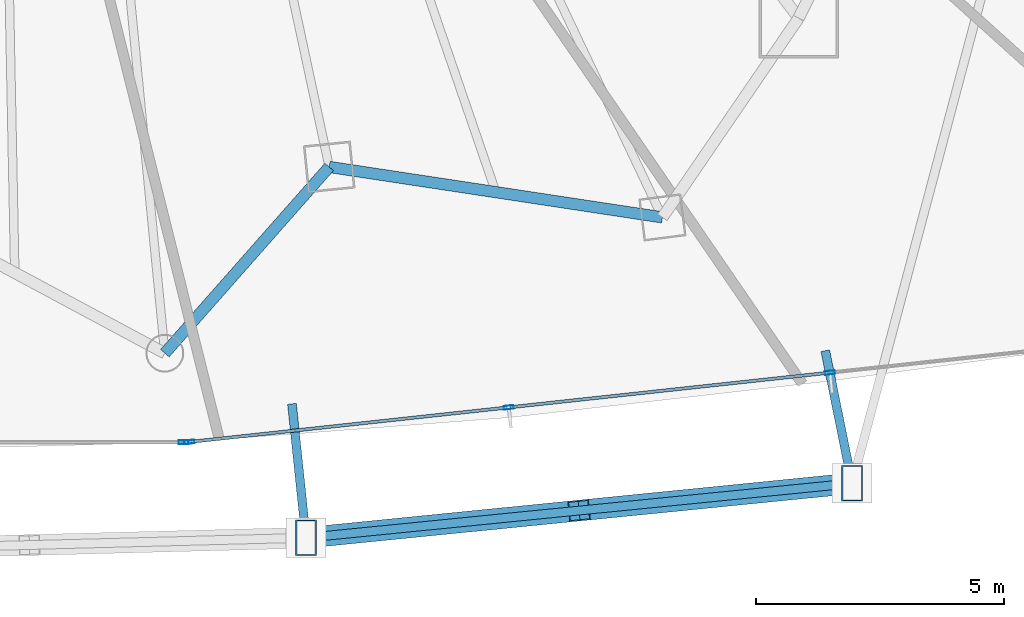
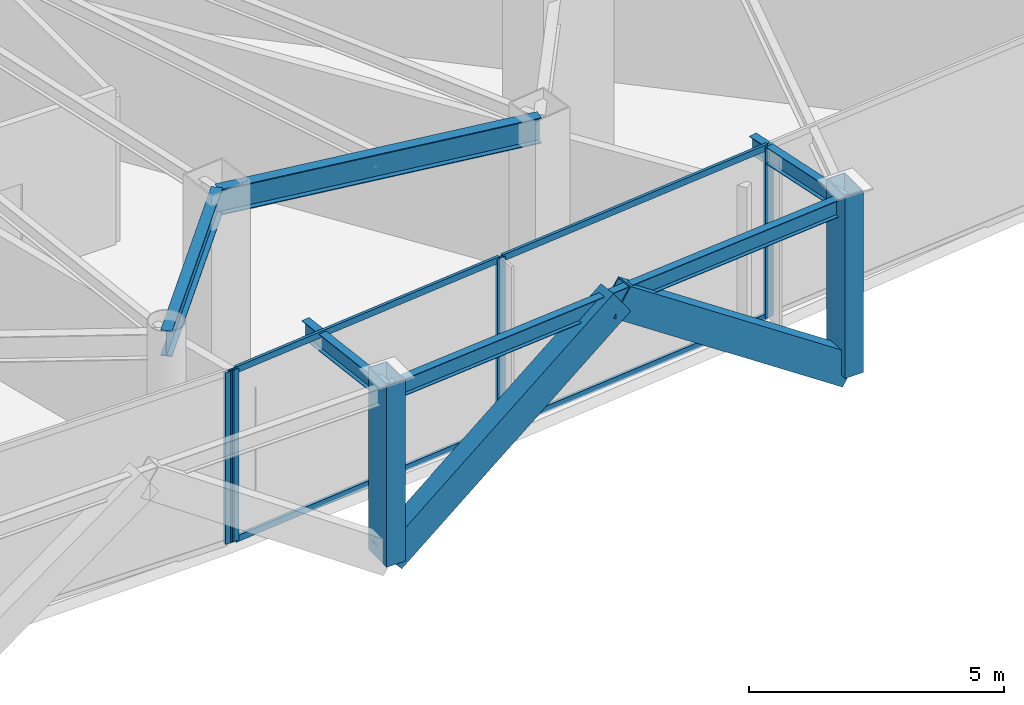
# One storey, part 12 of 33: 12 members, 5 beams, 2 elements without a shape of their own.
"""IFC4 building model written with IfcOpenShell, lengths in metres."""

from ifc_helpers import new_model, si_unit, direction, frame, origin, origin_2d, place, context, subcontext, project, spatial, hollow_rectangle, i_section, extrude, material, layer, layer_set, material_profile, profile_set, type_object, element, aggregate, save


model = new_model("IFC4")

# Units and contexts
model_context = context("Model", 3, precision=1e-05, world=origin(), true_north=direction((0.0, 1.0)))
body_context = subcontext(model_context, "Body", "Model", "MODEL_VIEW")
ifc_project = project(units=[si_unit("LENGTHUNIT", "METRE"), si_unit("AREAUNIT", "SQUARE_METRE"), si_unit("VOLUMEUNIT", "CUBIC_METRE"), si_unit("PLANEANGLEUNIT", "RADIAN"), si_unit("MASSUNIT", "GRAM", prefix="KILO")], contexts=[model_context])

# Site, building, storey
site_placement = place(None, origin())
site = spatial("IfcSite", under=ifc_project, at=site_placement, CompositionType="ELEMENT")
building_placement = place(site_placement, origin())
building = spatial("IfcBuilding", under=site, at=building_placement, Name="Orvanel Arch Residences", CompositionType="ELEMENT")
storey_placement = place(building_placement, frame((0.0, 0.0, 59.89990234375)))
storey = spatial("IfcBuildingStorey", under=building, at=storey_placement, Name="L16", CompositionType="ELEMENT", Elevation=59.89990234375)

# Members
ifc_material_1 = material(Name="Structural steel AS/NZS 3678 Grade 350", Category="steel")
ifc_material_profile_1 = material_profile(ifc_material_1, hollow_rectangle(XDim=0.419921875, YDim=0.719970703125, WallThickness=0.02490234375, at=origin_2d()), Name="RHS720x420x25")
ifc_profile_set_1 = profile_set([ifc_material_profile_1], Name="Structural steel AS/NZS 3678 Grade 350")
member_type_1 = type_object("IfcMemberType", Name="BR-720RHS-EXT", PredefinedType="BRACE", material=ifc_profile_set_1)
member_1_placement = place(storey_placement, frame((41.884033203125, -0.111083984375, 0.0), z_axis=(0.812419949436, 0.081003854436, 0.577418566834), x_axis=(-0.099214924119, 0.995066027373, 0.0)))
element("IfcMember", 1, at=member_1_placement, inside=storey, type_object=member_type_1, Name="L16 Exterior Sky-Garden V-Frame Chevron F2B3.1", PredefinedType="BRACE", context=body_context, shape_type="SweptSolid", body=[
    extrude(hollow_rectangle(XDim=0.419921875, YDim=0.719970703125, WallThickness=0.02490234375, at=origin_2d()), origin(), (0.0, 0.0, 1.0), 6.766357421875),
])
member_2_placement = place(storey_placement, frame((52.8779296875, 0.985107421875, 0.0), z_axis=(-0.812407681997, -0.081006229007, 0.577435493449), x_axis=(0.099219287353, -0.995065592319, 0.0)))
element("IfcMember", 2, at=member_2_placement, inside=storey, type_object=member_type_1, Name="L16 Exterior Sky-Garden V-Frame Chevron F2B3.2", PredefinedType="BRACE", context=body_context, shape_type="SweptSolid", body=[
    extrude(hollow_rectangle(XDim=0.419921875, YDim=0.719970703125, WallThickness=0.02490234375, at=origin_2d()), origin(), (0.0, 0.0, 1.0), 6.76611328125),
])
ifc_material_profile_2 = material_profile(ifc_material_1, hollow_rectangle(XDim=0.419921875, YDim=0.719970703125, WallThickness=0.02490234375, at=origin_2d()), Name="RHS720x420x25")
ifc_profile_set_2 = profile_set([ifc_material_profile_2], Name="Structural steel AS/NZS 3678 Grade 350")
member_type_2 = type_object("IfcMemberType", Name="CH-720RHS-EXT", PredefinedType="CHORD", material=ifc_profile_set_2)
for number, where, z_axis, x_axis, name in (
    (3, (41.884033203125, -0.111083984375, 0.0), (0.0, 0.0, 1.0), (1.0, 0.0, 0.0), "L16 Outer Perimeter Frame Post 07"),
    (4, (52.8779296875, 0.985107421875, 0.0), (0.0, 0.0, 1.0), (1.0, 0.0, 0.0), "L16 Outer Perimeter Frame Post 08"),
):
    element("IfcMember", number, at=place(storey_placement, frame(where, z_axis=z_axis, x_axis=x_axis)), inside=storey, type_object=member_type_2, Name=name, PredefinedType="CHORD", context=body_context, shape_type="SweptSolid", body=[
        extrude(hollow_rectangle(XDim=0.419921875, YDim=0.719970703125, WallThickness=0.02490234375, at=origin_2d()), origin(), (0.0, 0.0, 1.0), 4.35009765625),
    ])

# Curtain wall, member
ifc_material_2 = material(Name="Bronze-anodised aluminium AA6063-T6", Category="aluminium")
ifc_layer = layer(ifc_material_2, 0.195068359375)
ifc_layer_set = layer_set([ifc_layer], Name="Bronze-anodised aluminium AA6063-T6")
curtain_wall_type = type_object("IfcCurtainWallType", Name="CW6-COM-SYS", PredefinedType="NOTDEFINED", material=ifc_layer_set)
curtain_wall_1_placement = place(storey_placement, origin())
curtain_wall_1 = element("IfcCurtainWall", 5, at=curtain_wall_1_placement, inside=storey, type_object=curtain_wall_type, Name="L16 CW6-COM-SYS Unitised Curtain Wall", PredefinedType="NOTDEFINED")
ifc_material_profile_3 = material_profile(ifc_material_2, hollow_rectangle(XDim=0.074951171875, YDim=0.199951171875, WallThickness=0.0048828125, at=origin_2d()), Name="ALU200x75x5")
ifc_profile_set_3 = profile_set([ifc_material_profile_3], Name="Bronze-anodised aluminium AA6063-T6")
member_type_3 = type_object("IfcMemberType", Name="MUL-200x75", PredefinedType="MULLION", material=ifc_profile_set_3)
member_3_placement = place(storey_placement, frame((39.42138671875, 1.81201171875, 0.0), z_axis=(0.0, 0.0, 1.0), x_axis=(0.0, 1.0, 0.0)))
member_3 = element("IfcMember", 6, at=member_3_placement, type_object=member_type_3, Name="CW-S6 mullion 3", PredefinedType="MULLION", context=body_context, shape_type="SweptSolid", body=[
    extrude(hollow_rectangle(XDim=0.074951171875, YDim=0.199951171875, WallThickness=0.0048828125, at=origin_2d()), origin(), (0.0, 0.0, 1.0), 4.110107421875),
])
aggregate(curtain_wall_1, [member_3])

# Curtain wall, members
curtain_wall_2_placement = place(storey_placement, origin())
curtain_wall_2 = element("IfcCurtainWall", 7, at=curtain_wall_2_placement, inside=storey, type_object=curtain_wall_type, Name="L16 CW6-COM-SYS Unitised Curtain Wall", PredefinedType="NOTDEFINED")
member_4_placement = place(storey_placement, frame((39.536376953125, 1.818115234375, 0.0), z_axis=(0.0, 0.0, 1.0), x_axis=(-0.107629714694, 0.994191050309, 0.0)))
member_4 = element("IfcMember", 8, at=member_4_placement, type_object=member_type_3, Name="CW-S6 mullion 1", PredefinedType="MULLION", context=body_context, shape_type="SweptSolid", body=[
    extrude(hollow_rectangle(XDim=0.074951171875, YDim=0.199951171875, WallThickness=0.0048828125, at=origin_2d()), origin(), (0.0, 0.0, 1.0), 4.110107421875),
])
member_5_placement = place(storey_placement, frame((45.965087890625, 2.513916015625, 0.0), z_axis=(0.0, 0.0, 1.0), x_axis=(-0.107629714694, 0.994191050309, 0.0)))
member_5 = element("IfcMember", 9, at=member_5_placement, type_object=member_type_3, Name="CW-S6 mullion 2", PredefinedType="MULLION", context=body_context, shape_type="SweptSolid", body=[
    extrude(hollow_rectangle(XDim=0.074951171875, YDim=0.199951171875, WallThickness=0.0048828125, at=origin_2d()), origin(), (0.0, 0.0, 1.0), 4.110107421875),
])
member_6_placement = place(storey_placement, frame((52.430908203125, 3.214111328125, 0.0), z_axis=(0.0, 0.0, 1.0), x_axis=(-0.107629714694, 0.994191050309, 0.0)))
member_6 = element("IfcMember", 10, at=member_6_placement, type_object=member_type_3, Name="CW-S6 mullion 3", PredefinedType="MULLION", context=body_context, shape_type="SweptSolid", body=[
    extrude(hollow_rectangle(XDim=0.074951171875, YDim=0.199951171875, WallThickness=0.0048828125, at=origin_2d()), origin(), (0.0, 0.0, 1.0), 4.110107421875),
])

# Beams
ifc_material_3 = material(Name="Structural steel AS/NZS 3679.1 Grade 300 (300 MPa)", Category="steel")
ifc_material_profile_4 = material_profile(ifc_material_3, i_section(OverallWidth=0.177978515625, OverallDepth=0.406005859375, WebThickness=0.0078125, FlangeThickness=0.0126953125, at=origin_2d()), Name="410UB59.7")
ifc_profile_set_4 = profile_set([ifc_material_profile_4], Name="Structural steel AS/NZS 3679.1 Grade 300 (300 MPa)")
beam_type_1 = type_object("IfcBeamType", Name="OB-410UB-EXT", PredefinedType="SPANDREL", material=ifc_profile_set_4)
beam_1_placement = place(storey_placement, frame((41.60107421875, 2.5849609375, 3.906982421875), z_axis=(0.10438005454, -0.994537482559, 0.0), x_axis=(0.994537482559, 0.10438005454, 0.0)))
element("IfcBeam", 11, at=beam_1_placement, inside=storey, type_object=beam_type_1, Name="L16 Outer Frame Radial Tie Beam 07", PredefinedType="SPANDREL", context=body_context, shape_type="SweptSolid", body=[
    extrude(i_section(OverallWidth=0.177978515625, OverallDepth=0.406005859375, WebThickness=0.0078125, FlangeThickness=0.0126953125, at=origin_2d()), origin(), (0.0, 0.0, 1.0), 2.7109375),
])
beam_2_placement = place(storey_placement, frame((41.884033203125, -0.111083984375, 3.906982421875), z_axis=(0.995065809853, 0.099217105688, 0.0), x_axis=(-0.099217105688, 0.995065809853, 0.0)))
element("IfcBeam", 12, at=beam_2_placement, inside=storey, type_object=beam_type_1, Name="L16 Outer Perimeter Floor Ring Beam 07", PredefinedType="SPANDREL", context=body_context, shape_type="SweptSolid", body=[
    extrude(i_section(OverallWidth=0.177978515625, OverallDepth=0.406005859375, WebThickness=0.0078125, FlangeThickness=0.0126953125, at=origin_2d()), origin(), (0.0, 0.0, 1.0), 11.04833984375),
])
beam_3_placement = place(storey_placement, frame((52.337890625, 3.656005859375, 3.906982421875), z_axis=(0.198183267004, -0.980164982378, 0.0), x_axis=(0.980164982378, 0.198183267004, 0.0)))
element("IfcBeam", 13, at=beam_3_placement, inside=storey, type_object=beam_type_1, Name="L16 Outer Frame Radial Tie Beam 08", PredefinedType="SPANDREL", context=body_context, shape_type="SweptSolid", body=[
    extrude(i_section(OverallWidth=0.177978515625, OverallDepth=0.406005859375, WebThickness=0.0078125, FlangeThickness=0.0126953125, at=origin_2d()), origin(), (0.0, 0.0, 1.0), 2.724853515625),
])
ifc_material_profile_5 = material_profile(ifc_material_3, i_section(OverallWidth=0.22900390625, OverallDepth=0.612060546875, WebThickness=0.011962890625, FlangeThickness=0.01953125, at=origin_2d()), Name="610UB125")
ifc_profile_set_5 = profile_set([ifc_material_profile_5], Name="Structural steel AS/NZS 3679.1 Grade 300 (300 MPa)")
beam_type_2 = type_object("IfcBeamType", Name="SP-610UB", PredefinedType="SPANDREL", material=ifc_profile_set_5)
beam_4_placement = place(storey_placement, frame((39.0419921875, 3.60498046875, 3.80419921875), z_axis=(0.661650698195, 0.749812212209, 0.0), x_axis=(-0.749812212209, 0.661650698195, 0.0)))
element("IfcBeam", 14, at=beam_4_placement, inside=storey, type_object=beam_type_2, Name="L16 Perimeter Spandrel Beam 08", PredefinedType="SPANDREL", context=body_context, shape_type="SweptSolid", body=[
    extrude(i_section(OverallWidth=0.22900390625, OverallDepth=0.612060546875, WebThickness=0.011962890625, FlangeThickness=0.01953125, at=origin_2d()), origin(), (0.0, 0.0, 1.0), 5.001220703125),
])
beam_5_placement = place(storey_placement, frame((42.35107421875, 7.35498046875, 3.80419921875), z_axis=(0.988726323014, -0.149733958002, 0.0), x_axis=(0.149733958002, 0.988726323014, 0.0)))
element("IfcBeam", 15, at=beam_5_placement, inside=storey, type_object=beam_type_2, Name="L16 Perimeter Spandrel Beam 09", PredefinedType="SPANDREL", context=body_context, shape_type="SweptSolid", body=[
    extrude(i_section(OverallWidth=0.22900390625, OverallDepth=0.612060546875, WebThickness=0.011962890625, FlangeThickness=0.01953125, at=origin_2d()), origin(), (0.0, 0.0, 1.0), 6.784423828125),
])

# Member
ifc_material_profile_6 = material_profile(ifc_material_2, hollow_rectangle(XDim=0.06494140625, YDim=0.14990234375, WallThickness=0.00390625, at=origin_2d()), Name="ALU150x65x4")
ifc_profile_set_6 = profile_set([ifc_material_profile_6], Name="Bronze-anodised aluminium AA6063-T6")
member_type_4 = type_object("IfcMemberType", Name="TRN-150x65", PredefinedType="USERDEFINED", material=ifc_profile_set_6)
member_7_placement = place(storey_placement, frame((39.573486328125, 1.822021484375, 0.03271484375), z_axis=(0.994189603889, 0.107643074644, 0.0), x_axis=(-0.107643074644, 0.994189603889, 0.0)))
member_7 = element("IfcMember", 16, at=member_7_placement, type_object=member_type_4, Name="CW-S6 transom 1.1", ObjectType="TRANSOM", PredefinedType="USERDEFINED", context=body_context, shape_type="SweptSolid", body=[
    extrude(hollow_rectangle(XDim=0.06494140625, YDim=0.14990234375, WallThickness=0.00390625, at=origin_2d()), origin(), (0.0, 0.0, 1.0), 6.391357421875),
])

member_8_placement = place(storey_placement, frame((39.573486328125, 1.822021484375, 4.07763671875), z_axis=(0.994189603889, 0.107643074644, 0.0), x_axis=(-0.107643074644, 0.994189603889, 0.0)))
member_8 = element("IfcMember", 17, at=member_8_placement, type_object=member_type_4, Name="CW-S6 transom 1.2", ObjectType="TRANSOM", PredefinedType="USERDEFINED", context=body_context, shape_type="SweptSolid", body=[
    extrude(hollow_rectangle(XDim=0.06494140625, YDim=0.14990234375, WallThickness=0.00390625, at=origin_2d()), origin(), (0.0, 0.0, 1.0), 6.391357421875),
])

member_9_placement = place(storey_placement, frame((46.002197265625, 2.51806640625, 0.03271484375), z_axis=(0.994191902449, 0.107621843069, 0.0), x_axis=(-0.107621843069, 0.994191902449, 0.0)))
member_9 = element("IfcMember", 18, at=member_9_placement, type_object=member_type_4, Name="CW-S6 transom 2.1", ObjectType="TRANSOM", PredefinedType="USERDEFINED", context=body_context, shape_type="SweptSolid", body=[
    extrude(hollow_rectangle(XDim=0.06494140625, YDim=0.14990234375, WallThickness=0.00390625, at=origin_2d()), origin(), (0.0, 0.0, 1.0), 6.428955078125),
])

member_10_placement = place(storey_placement, frame((46.002197265625, 2.51806640625, 4.07763671875), z_axis=(0.994191902449, 0.107621843069, 0.0), x_axis=(-0.107621843069, 0.994191902449, 0.0)))
member_10 = element("IfcMember", 19, at=member_10_placement, type_object=member_type_4, Name="CW-S6 transom 2.2", ObjectType="TRANSOM", PredefinedType="USERDEFINED", context=body_context, shape_type="SweptSolid", body=[
    extrude(hollow_rectangle(XDim=0.06494140625, YDim=0.14990234375, WallThickness=0.00390625, at=origin_2d()), origin(), (0.0, 0.0, 1.0), 6.428955078125),
])

aggregate(curtain_wall_2, [member_4, member_5, member_6, member_7, member_8, member_9, member_10])

save(model, "model.ifc")
